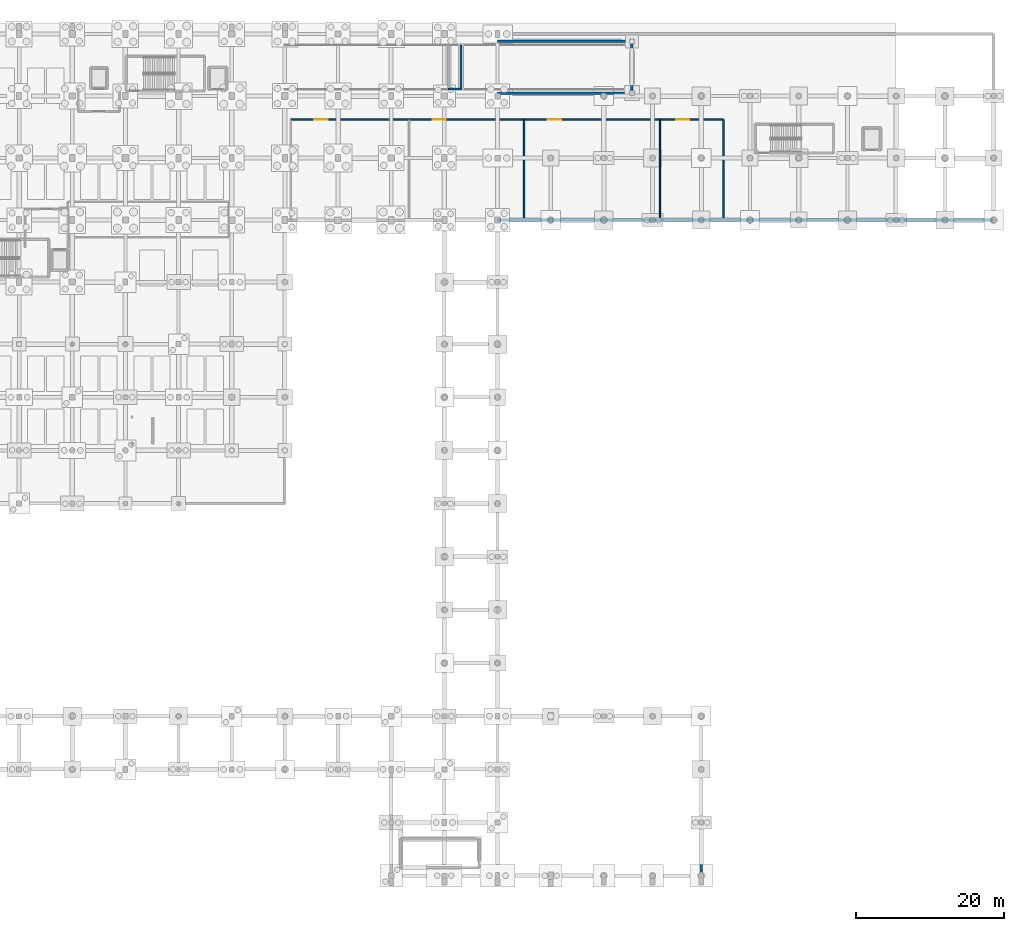
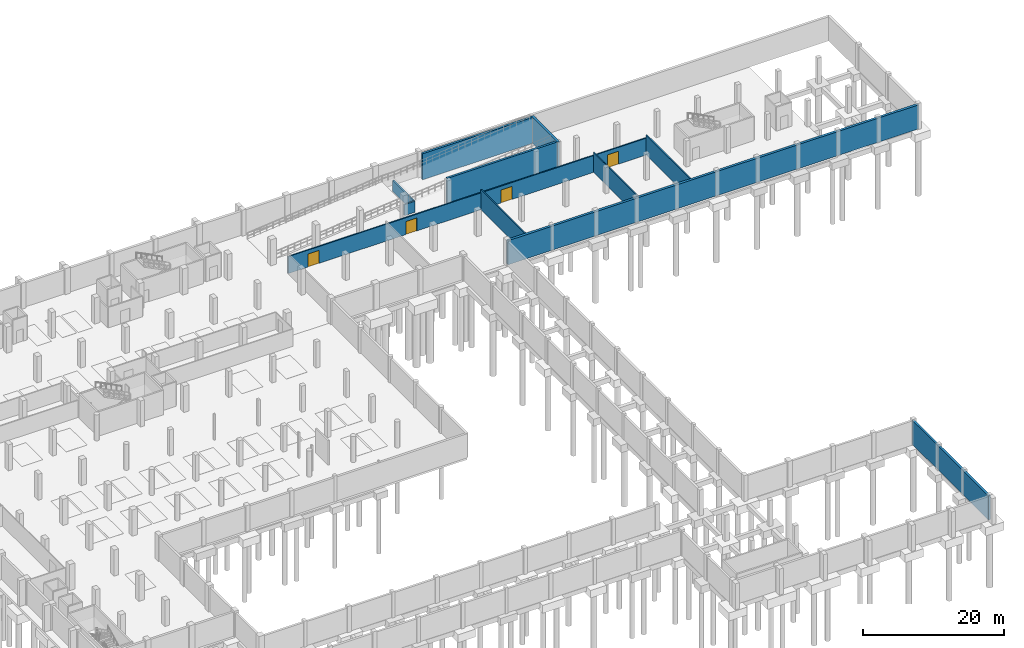
# One storey, part 26 of 35: 11 walls, 4 doors, 4 openings.
"""IFC4 building model written with IfcOpenShell, lengths in metres."""

from ifc_helpers import new_model, si_unit, direction, frame, frame_2d, origin, place, context, subcontext, project, spatial, rectangle, extrude, material, layer, layer_set, type_object, element, fill, save


model = new_model("IFC4")

# Units and contexts
model_context = context("Model", 3, precision=1e-05, world=origin(), true_north=direction((0.0, 1.0)))
body_context = subcontext(model_context, "Body", "Model", "MODEL_VIEW")
ifc_project = project(units=[si_unit("LENGTHUNIT", "METRE"), si_unit("AREAUNIT", "SQUARE_METRE"), si_unit("VOLUMEUNIT", "CUBIC_METRE"), si_unit("PLANEANGLEUNIT", "RADIAN"), si_unit("MASSUNIT", "GRAM", prefix="KILO")], contexts=[model_context])

# Site, building, storey
site_placement = place(None, origin())
site = spatial("IfcSite", under=ifc_project, at=site_placement, CompositionType="ELEMENT")
building_placement = place(site_placement, origin())
building = spatial("IfcBuilding", under=site, at=building_placement, Name="Kalluvel Institute of Natural Sciences", CompositionType="ELEMENT")
storey_placement = place(building_placement, frame((0.0, 0.0, -4.5)))
storey = spatial("IfcBuildingStorey", under=building, at=storey_placement, Name="B1", CompositionType="ELEMENT", Elevation=-4.5)

# Wall
ifc_material_1 = material(Name="Autoclaved Aerated Concrete Masonry Block", Category="masonry")
ifc_layer_1 = layer(ifc_material_1, 0.179931640625)
ifc_layer_set_1 = layer_set([ifc_layer_1], Name="Autoclaved Aerated Concrete Masonry Block")
wall_type_1 = type_object("IfcWallType", Name="WL-FIRE-180", PredefinedType="SOLIDWALL", material=ifc_layer_set_1)
wall_1_placement = place(storey_placement, frame((136.800048828125, 102.800048828125, 0.0), z_axis=(0.0, 0.0, 1.0), x_axis=(0.0, 1.0, 0.0)))
element("IfcWall", 1, at=wall_1_placement, inside=storey, type_object=wall_type_1, Name="B1 interior fire wall WL-INT-B1-0026", PredefinedType="SOLIDWALL", context=body_context, shape_type="SweptSolid", body=[
    extrude(rectangle(XDim=13.599853515625, YDim=0.179931640625, at=frame_2d((6.7998046875, 0.0))), origin(), (0.0, 0.0, 1.0), 3.419921875),
])

# Wall, openings, doors
ifc_layer_2 = layer(ifc_material_1, 0.199951171875)
ifc_layer_set_2 = layer_set([ifc_layer_2], Name="Autoclaved Aerated Concrete Masonry Block")
wall_type_2 = type_object("IfcWallType", Name="WL-FIRE-200", PredefinedType="SOLIDWALL", material=ifc_layer_set_2)
wall_2_placement = place(storey_placement, frame((86.800048828125, 116.39990234375, 0.0), z_axis=(0.0, 0.0, 1.0), x_axis=(1.0, 0.0, 0.0)))
wall_2 = element("IfcWall", 2, at=wall_2_placement, inside=storey, type_object=wall_type_2, Name="B1 interior fire wall WL-INT-B1-0021", PredefinedType="SOLIDWALL", context=body_context, shape_type="SweptSolid", body=[
    extrude(rectangle(XDim=58.599853515625, YDim=0.199951171875, at=frame_2d((29.2998046875, 0.0))), origin(), (0.0, 0.0, 1.0), 2.919921875),
])
opening_1_placement = place(wall_2_placement, frame((3.199951171875, 0.0, 0.0)))
opening_1 = element("IfcOpeningElement", 3, at=opening_1_placement, cuts=wall_2, Name="Opening D-058", PredefinedType="OPENING", context=body_context, shape_type="SweptSolid", body=[
    extrude(rectangle(XDim=1.800048828125, YDim=2.25, at=frame_2d((0.89990234375, 1.125))), frame((0.0, 0.10986328125, 0.0), z_axis=(0.0, -1.0, 0.0), x_axis=(1.0, 0.0, 0.0)), (0.0, 0.0, 1.0), 0.219970703125),
])
opening_2_placement = place(wall_2_placement, frame((19.199951171875, 0.0, 0.0)))
opening_2 = element("IfcOpeningElement", 4, at=opening_2_placement, cuts=wall_2, Name="Opening D-059", PredefinedType="OPENING", context=body_context, shape_type="SweptSolid", body=[
    extrude(rectangle(XDim=1.800048828125, YDim=2.25, at=frame_2d((0.89990234375, 1.125))), frame((0.0, 0.10986328125, 0.0), z_axis=(0.0, -1.0, 0.0), x_axis=(1.0, 0.0, 0.0)), (0.0, 0.0, 1.0), 0.219970703125),
])
opening_3_placement = place(wall_2_placement, frame((34.800048828125, 0.0, 0.0)))
opening_3 = element("IfcOpeningElement", 5, at=opening_3_placement, cuts=wall_2, Name="Opening D-060", PredefinedType="OPENING", context=body_context, shape_type="SweptSolid", body=[
    extrude(rectangle(XDim=1.800048828125, YDim=2.25, at=frame_2d((0.89990234375, 1.125))), frame((0.0, 0.10986328125, 0.0), z_axis=(0.0, -1.0, 0.0), x_axis=(1.0, 0.0, 0.0)), (0.0, 0.0, 1.0), 0.219970703125),
])
opening_4_placement = place(wall_2_placement, frame((52.199951171875, 0.0, 0.0)))
opening_4 = element("IfcOpeningElement", 6, at=opening_4_placement, cuts=wall_2, Name="Opening D-061", PredefinedType="OPENING", context=body_context, shape_type="SweptSolid", body=[
    extrude(rectangle(XDim=1.800048828125, YDim=2.25, at=frame_2d((0.89990234375, 1.125))), frame((0.0, 0.10986328125, 0.0), z_axis=(0.0, -1.0, 0.0), x_axis=(1.0, 0.0, 0.0)), (0.0, 0.0, 1.0), 0.219970703125),
])
ifc_material_2 = material(Name="Galvanized Fire-Rated Steel", Category="steel")
door_type = type_object("IfcDoorType", Name="DR-FD60-1800", OperationType="NOTDEFINED", PredefinedType="DOOR", material=ifc_material_2)
door_1_placement = place(opening_1_placement, origin())
door_1 = element("IfcDoor", 7, at=door_1_placement, inside=storey, type_object=door_type, Name="Chiller and Heat-Recovery Plant Room door D-058", OperationType="DOUBLE_DOOR_SINGLE_SWING", OverallHeight=2.25, OverallWidth=1.800048828125, PredefinedType="DOOR", context=body_context, shape_type="SweptSolid", body=[
    extrude(rectangle(XDim=1.800048828125, YDim=2.25, at=frame_2d((0.89990234375, 1.125))), frame((0.0, 0.02490234375, 0.0), z_axis=(0.0, -1.0, 0.0), x_axis=(1.0, 0.0, 0.0)), (0.0, 0.0, 1.0), 0.050048828125),
])
fill(opening_1, door_1)
door_2_placement = place(opening_2_placement, origin())
door_2 = element("IfcDoor", 8, at=door_2_placement, inside=storey, type_object=door_type, Name="HT Substation and Emergency Generator Hall door D-059", OperationType="DOUBLE_DOOR_SINGLE_SWING", OverallHeight=2.25, OverallWidth=1.800048828125, PredefinedType="DOOR", context=body_context, shape_type="SweptSolid", body=[
    extrude(rectangle(XDim=1.800048828125, YDim=2.25, at=frame_2d((0.89990234375, 1.125))), frame((0.0, 0.02490234375, 0.0), z_axis=(0.0, -1.0, 0.0), x_axis=(1.0, 0.0, 0.0)), (0.0, 0.0, 1.0), 0.050048828125),
])
fill(opening_2, door_2)
door_3_placement = place(opening_3_placement, origin())
door_3 = element("IfcDoor", 9, at=door_3_placement, inside=storey, type_object=door_type, Name="Cleanroom Sub-Fab Scrubber and Process Gas Plant door D-060", OperationType="DOUBLE_DOOR_SINGLE_SWING", OverallHeight=2.25, OverallWidth=1.800048828125, PredefinedType="DOOR", context=body_context, shape_type="SweptSolid", body=[
    extrude(rectangle(XDim=1.800048828125, YDim=2.25, at=frame_2d((0.89990234375, 1.125))), frame((0.0, 0.02490234375, 0.0), z_axis=(0.0, -1.0, 0.0), x_axis=(1.0, 0.0, 0.0)), (0.0, 0.0, 1.0), 0.050048828125),
])
fill(opening_3, door_3)
door_4_placement = place(opening_4_placement, origin())
door_4 = element("IfcDoor", 10, at=door_4_placement, inside=storey, type_object=door_type, Name="Deionised Water and Effluent Neutralisation Plant door D-061", OperationType="DOUBLE_DOOR_SINGLE_SWING", OverallHeight=2.25, OverallWidth=1.800048828125, PredefinedType="DOOR", context=body_context, shape_type="SweptSolid", body=[
    extrude(rectangle(XDim=1.800048828125, YDim=2.25, at=frame_2d((0.89990234375, 1.125))), frame((0.0, 0.02490234375, 0.0), z_axis=(0.0, -1.0, 0.0), x_axis=(1.0, 0.0, 0.0)), (0.0, 0.0, 1.0), 0.050048828125),
])
fill(opening_4, door_4)

# Walls
for number, where, z_axis, x_axis, name in (
    (11, (145.39990234375, 102.800048828125, 0.0), (0.0, 0.0, 1.0), (0.0, 1.0, 0.0), "B1 interior fire wall WL-INT-B1-0023"),
    (12, (118.39990234375, 102.800048828125, 0.0), (0.0, 0.0, 1.0), (0.0, 1.0, 0.0), "B1 interior fire wall WL-INT-B1-0025"),
):
    element("IfcWall", number, at=place(storey_placement, frame(where, z_axis=z_axis, x_axis=x_axis)), inside=storey, type_object=wall_type_2, Name=name, PredefinedType="SOLIDWALL", context=body_context, shape_type="SweptSolid", body=[
        extrude(rectangle(XDim=13.599853515625, YDim=0.199951171875, at=frame_2d((6.7998046875, 0.0))), origin(), (0.0, 0.0, 1.0), 3.419921875),
    ])
ifc_material_3 = material(Name="Concrete M40", Category="concrete")
ifc_layer_3 = layer(ifc_material_3, 0.35009765625)
ifc_layer_set_3 = layer_set([ifc_layer_3], Name="Concrete M40")
wall_type_3 = type_object("IfcWallType", Name="WL-RET-350", PredefinedType="USERDEFINED", material=ifc_layer_set_3)
wall_3_placement = place(storey_placement, frame((142.39990234375, 14.0, 0.0), z_axis=(0.0, 0.0, 1.0), x_axis=(0.0, 1.0, 0.0)))
element("IfcWall", 13, at=wall_3_placement, inside=storey, type_object=wall_type_3, Name="Basement perimeter plinth retaining wall 6", ObjectType="RETAINING WALL", PredefinedType="USERDEFINED", context=body_context, shape_type="SweptSolid", body=[
    extrude(rectangle(XDim=21.60009765625, YDim=0.35009765625, at=frame_2d((10.800048828125, 0.0))), origin(), (0.0, 0.0, 1.0), 4.159912109375),
])
for number, where, z_axis, x_axis, name in (
    (14, (114.800048828125, 127.0, 0.0), (0.0, 0.0, 1.0), (1.0, 0.0, 0.0), "Basement perimeter plinth retaining wall 20"),
    (15, (114.800048828125, 120.0, 0.0), (0.0, 0.0, 1.0), (1.0, 0.0, 0.0), "Basement perimeter plinth retaining wall 21"),
):
    element("IfcWall", number, at=place(storey_placement, frame(where, z_axis=z_axis, x_axis=x_axis)), inside=storey, type_object=wall_type_3, Name=name, ObjectType="RETAINING WALL", PredefinedType="USERDEFINED", context=body_context, shape_type="SweptSolid", body=[
        extrude(rectangle(XDim=18.199951171875, YDim=0.35009765625, at=frame_2d((9.10009765625, 0.0))), origin(), (0.0, 0.0, 1.0), 4.5),
    ])
wall_4_placement = place(storey_placement, frame((133.0, 119.800048828125, 0.0), z_axis=(0.0, 0.0, 1.0), x_axis=(0.0, 1.0, 0.0)))
element("IfcWall", 16, at=wall_4_placement, inside=storey, type_object=wall_type_3, Name="Basement perimeter plinth retaining wall 22", ObjectType="RETAINING WALL", PredefinedType="USERDEFINED", context=body_context, shape_type="SweptSolid", body=[
    extrude(rectangle(XDim=7.39990234375, YDim=0.35009765625, at=frame_2d((3.699951171875, 0.0))), origin(), (0.0, 0.0, 1.0), 4.5),
])
ifc_layer_4 = layer(ifc_material_3, 0.39990234375)
ifc_layer_set_4 = layer_set([ifc_layer_4], Name="Concrete M40")
wall_type_4 = type_object("IfcWallType", Name="WL-RET-400", PredefinedType="USERDEFINED", material=ifc_layer_set_4)
wall_5_placement = place(storey_placement, frame((114.800048828125, 102.800048828125, 0.0), z_axis=(0.0, 0.0, 1.0), x_axis=(1.0, 0.0, 0.0)))
element("IfcWall", 17, at=wall_5_placement, inside=storey, type_object=wall_type_4, Name="Basement perimeter plinth retaining wall 3", ObjectType="RETAINING WALL", PredefinedType="USERDEFINED", context=body_context, shape_type="SweptSolid", body=[
    extrude(rectangle(XDim=67.199951171875, YDim=0.39990234375, at=frame_2d((33.60009765625, 0.0))), origin(), (0.0, 0.0, 1.0), 4.159912109375),
])
ifc_layer_5 = layer(ifc_material_3, 0.219970703125)
ifc_layer_set_5 = layer_set([ifc_layer_5], Name="Concrete M40")
wall_type_5 = type_object("IfcWallType", Name="WL-SHAFT-220", PredefinedType="SHEAR", material=ifc_layer_set_5)
wall_6_placement = place(storey_placement, frame((109.85009765625, 120.5, 0.0), z_axis=(0.0, 0.0, 1.0), x_axis=(0.0, 1.0, 0.0)))
element("IfcWall", 18, at=wall_6_placement, inside=storey, type_object=wall_type_5, Name="B1 vehicle ramp mid-landing support wall E", PredefinedType="SHEAR", context=body_context, shape_type="SweptSolid", body=[
    extrude(rectangle(XDim=6.0, YDim=0.219970703125, at=frame_2d((3.0, 0.0))), origin(), (0.0, 0.0, 1.0), 1.89990234375),
])
wall_7_placement = place(storey_placement, frame((108.14990234375, 120.550048828125, 0.0), z_axis=(0.0, 0.0, 1.0), x_axis=(1.0, 0.0, 0.0)))
element("IfcWall", 19, at=wall_7_placement, inside=storey, type_object=wall_type_5, Name="B1 vehicle ramp mid-landing support wall S", PredefinedType="SHEAR", context=body_context, shape_type="SweptSolid", body=[
    extrude(rectangle(XDim=1.7001953125, YDim=0.219970703125, at=frame_2d((0.85009765625, 0.0))), origin(), (0.0, 0.0, 1.0), 1.89990234375),
])

save(model, "model.ifc")
